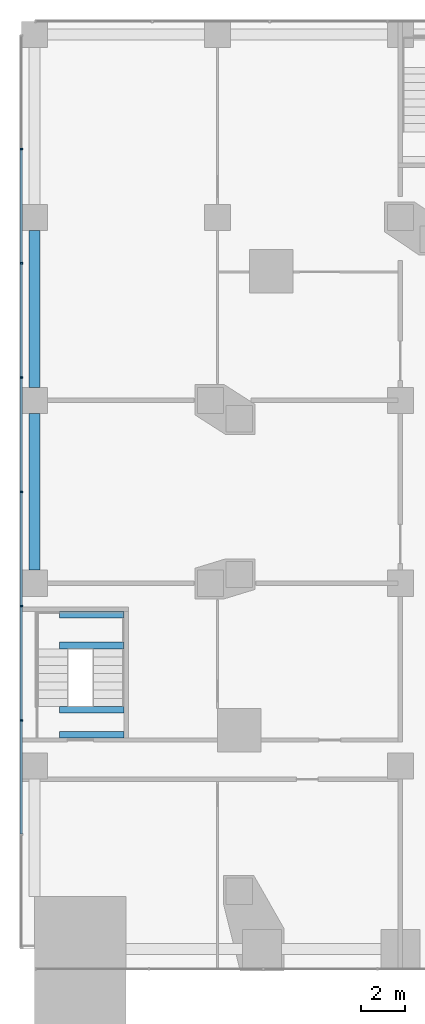
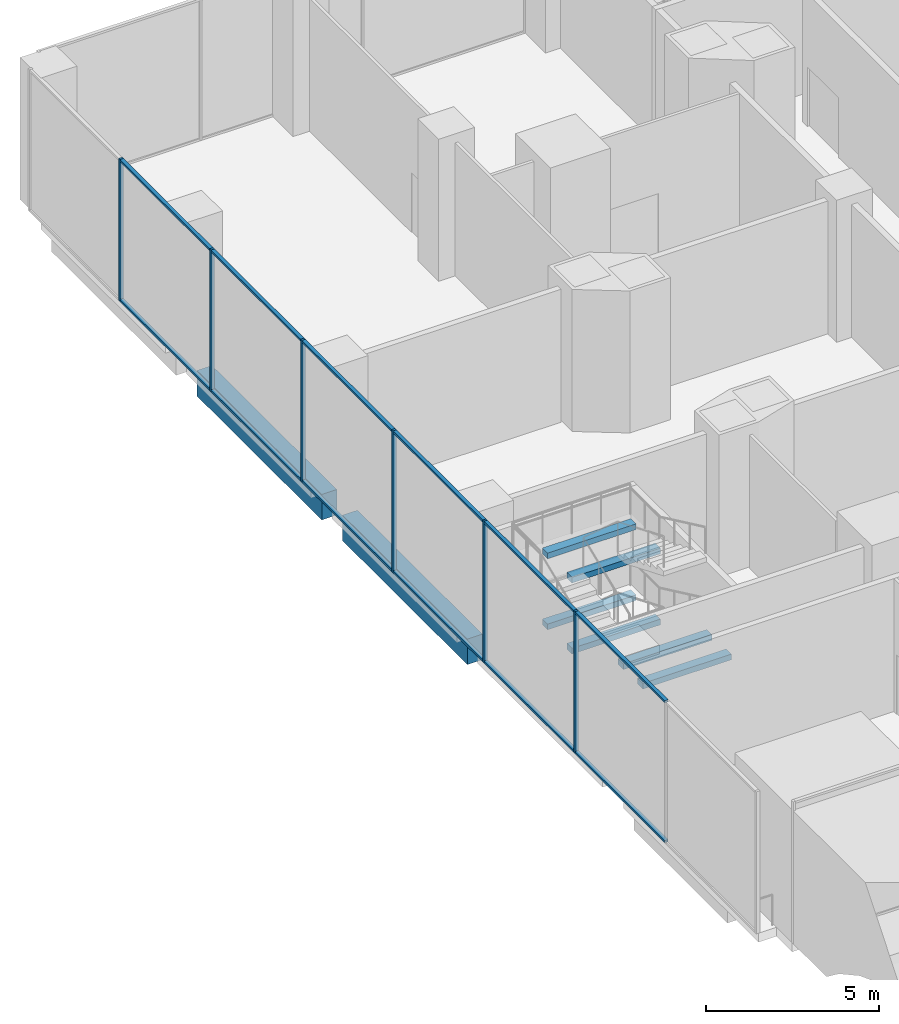
# One storey, part 6 of 28: 18 members, 8 beams, 1 element without a shape of its own.
"""IFC4 building model written with IfcOpenShell, lengths in metres."""

from ifc_helpers import new_model, si_unit, direction, frame, origin, origin_2d, place, context, subcontext, project, spatial, rectangle, extrude, material, layer, layer_set, material_profile, profile_set, type_object, element, aggregate, save


model = new_model("IFC4")

# Units and contexts
model_context = context("Model", 3, precision=1e-05, world=origin(), true_north=direction((0.0, 1.0)))
body_context = subcontext(model_context, "Body", "Model", "MODEL_VIEW")
ifc_project = project(units=[si_unit("LENGTHUNIT", "METRE"), si_unit("AREAUNIT", "SQUARE_METRE"), si_unit("VOLUMEUNIT", "CUBIC_METRE"), si_unit("PLANEANGLEUNIT", "RADIAN"), si_unit("MASSUNIT", "GRAM", prefix="KILO")], contexts=[model_context])

# Site, building, storey
site_placement = place(None, origin())
site = spatial("IfcSite", under=ifc_project, at=site_placement, CompositionType="ELEMENT")
building_placement = place(site_placement, origin())
building = spatial("IfcBuilding", under=site, at=building_placement, Name="Marenta Gate Hotel Tower", CompositionType="ELEMENT")
storey_placement = place(building_placement, frame((0.0, 0.0, 26.0)))
storey = spatial("IfcBuildingStorey", under=building, at=storey_placement, Name="L04", CompositionType="ELEMENT", Elevation=26.0)

# Curtain wall, members
ifc_material_1 = material(Name="Tinted insulated glass in bronze anodised frame", Category="glass")
ifc_layer = layer(ifc_material_1, 0.1201171875)
ifc_layer_set = layer_set([ifc_layer], Name="Tinted insulated glass in bronze anodised frame")
curtain_wall_type = type_object("IfcCurtainWallType", Name="Wellness glazing CW7", PredefinedType="NOTDEFINED", material=ifc_layer_set)
curtain_wall_placement = place(storey_placement, origin())
curtain_wall = element("IfcCurtainWall", 1, at=curtain_wall_placement, inside=storey, type_object=curtain_wall_type, Name="CW7 run NB-W000", PredefinedType="NOTDEFINED")
ifc_material_2 = material(Name="Bronze anodised aluminium", Category="aluminium")
ifc_material_profile_1 = material_profile(ifc_material_2, rectangle(XDim=0.1201171875, YDim=0.074951171875, at=origin_2d()), Name="Mullion CW7 75x120 bronze anodised aluminium")
ifc_profile_set_1 = profile_set([ifc_material_profile_1], Name="Bronze anodised aluminium")
member_type_1 = type_object("IfcMemberType", Name="Mullion CW7 75x120 bronze anodised aluminium", PredefinedType="MULLION", material=ifc_profile_set_1)
member_1_placement = place(storey_placement, frame((-38.4140625, 36.75, 0.0), z_axis=(0.0, 0.0, 1.0), x_axis=(1.0, 0.0, 0.0)))
member_1 = element("IfcMember", 2, at=member_1_placement, type_object=member_type_1, Name="CW7 mullion 2", PredefinedType="MULLION", context=body_context, shape_type="SweptSolid", body=[
    extrude(rectangle(XDim=0.1201171875, YDim=0.074951171875, at=origin_2d()), origin(), (0.0, 0.0, 1.0), 5.0),
])
member_2_placement = place(storey_placement, frame((-38.4140625, 31.5, 0.0), z_axis=(0.0, 0.0, 1.0), x_axis=(1.0, 0.0, 0.0)))
member_2 = element("IfcMember", 3, at=member_2_placement, type_object=member_type_1, Name="CW7 mullion 3", PredefinedType="MULLION", context=body_context, shape_type="SweptSolid", body=[
    extrude(rectangle(XDim=0.1201171875, YDim=0.074951171875, at=origin_2d()), origin(), (0.0, 0.0, 1.0), 5.0),
])
member_3_placement = place(storey_placement, frame((-38.4140625, 26.25, 0.0), z_axis=(0.0, 0.0, 1.0), x_axis=(1.0, 0.0, 0.0)))
member_3 = element("IfcMember", 4, at=member_3_placement, type_object=member_type_1, Name="CW7 mullion 4", PredefinedType="MULLION", context=body_context, shape_type="SweptSolid", body=[
    extrude(rectangle(XDim=0.1201171875, YDim=0.074951171875, at=origin_2d()), origin(), (0.0, 0.0, 1.0), 5.0),
])
member_4_placement = place(storey_placement, frame((-38.4140625, 21.0, 0.0), z_axis=(0.0, 0.0, 1.0), x_axis=(1.0, 0.0, 0.0)))
member_4 = element("IfcMember", 5, at=member_4_placement, type_object=member_type_1, Name="CW7 mullion 5", PredefinedType="MULLION", context=body_context, shape_type="SweptSolid", body=[
    extrude(rectangle(XDim=0.1201171875, YDim=0.074951171875, at=origin_2d()), origin(), (0.0, 0.0, 1.0), 5.0),
])
member_5_placement = place(storey_placement, frame((-38.4140625, 15.75, 0.0), z_axis=(0.0, 0.0, 1.0), x_axis=(1.0, 0.0, 0.0)))
member_5 = element("IfcMember", 6, at=member_5_placement, type_object=member_type_1, Name="CW7 mullion 6", PredefinedType="MULLION", context=body_context, shape_type="SweptSolid", body=[
    extrude(rectangle(XDim=0.1201171875, YDim=0.074951171875, at=origin_2d()), origin(), (0.0, 0.0, 1.0), 5.0),
])
member_6_placement = place(storey_placement, frame((-38.4140625, 10.5, 0.0), z_axis=(0.0, 0.0, 1.0), x_axis=(1.0, 0.0, 0.0)))
member_6 = element("IfcMember", 7, at=member_6_placement, type_object=member_type_1, Name="CW7 mullion 7", PredefinedType="MULLION", context=body_context, shape_type="SweptSolid", body=[
    extrude(rectangle(XDim=0.1201171875, YDim=0.074951171875, at=origin_2d()), origin(), (0.0, 0.0, 1.0), 5.0),
])

# Beams
ifc_material_3 = material(Name="Concrete C60", Category="concrete")
ifc_material_profile_2 = material_profile(ifc_material_3, rectangle(XDim=0.5, YDim=0.89990234375, at=origin_2d()), Name="500 x 900")
ifc_profile_set_2 = profile_set([ifc_material_profile_2], Name="Concrete C60")
beam_type_1 = type_object("IfcBeamType", Name="Podium edge beam 500 x 900 C60", PredefinedType="BEAM", material=ifc_profile_set_2)
beam_1_placement = place(storey_placement, frame((-37.800048828125, 33.0, -0.77001953125), z_axis=(0.0, -1.0, 0.0), x_axis=(1.0, 0.0, 0.0)))
element("IfcBeam", 8, at=beam_1_placement, inside=storey, type_object=beam_type_1, Name="L04-PBM-172", PredefinedType="BEAM", context=body_context, shape_type="SweptSolid", body=[
    extrude(rectangle(XDim=0.5, YDim=0.89990234375, at=origin_2d()), origin(), (0.0, 0.0, 1.0), 7.199951171875),
])
beam_2_placement = place(storey_placement, frame((-37.800048828125, 24.60009765625, -0.77001953125), z_axis=(0.0, -1.0, 0.0), x_axis=(1.0, 0.0, 0.0)))
element("IfcBeam", 9, at=beam_2_placement, inside=storey, type_object=beam_type_1, Name="L04-PBM-173", PredefinedType="BEAM", context=body_context, shape_type="SweptSolid", body=[
    extrude(rectangle(XDim=0.5, YDim=0.89990234375, at=origin_2d()), origin(), (0.0, 0.0, 1.0), 7.2001953125),
])
ifc_material_4 = material(Name="Concrete C40", Category="concrete")
ifc_material_profile_3 = material_profile(ifc_material_4, rectangle(XDim=0.300048828125, YDim=0.199951171875, at=origin_2d()), Name="300 x 200")
ifc_profile_set_3 = profile_set([ifc_material_profile_3], Name="Concrete C40")
beam_type_2 = type_object("IfcBeamType", Name="Stair landing trimmer 300 x 200 C40", PredefinedType="BEAM", material=ifc_profile_set_3)
for number, where, z_axis, x_axis, name in (
    (10, (-36.64990234375, 13.93994140625, 0.949951171875), (1.0, 0.0, 0.0), (0.0, 1.0, 0.0), "L04-PX6-LT-1"),
    (11, (-36.64990234375, 15.35009765625, 0.949951171875), (1.0, 0.0, 0.0), (0.0, 1.0, 0.0), "L04-PX6-LT-2"),
    (12, (-36.64990234375, 9.85009765625, 2.199951171875), (1.0, 0.0, 0.0), (0.0, 1.0, 0.0), "L04-PX6-LT-3"),
    (13, (-36.64990234375, 10.97998046875, 2.199951171875), (1.0, 0.0, 0.0), (0.0, 1.0, 0.0), "L04-PX6-LT-4"),
    (14, (-36.64990234375, 13.93994140625, 3.449951171875), (1.0, 0.0, 0.0), (0.0, 1.0, 0.0), "L04-PX6-LT-5"),
    (15, (-36.64990234375, 15.35009765625, 3.449951171875), (1.0, 0.0, 0.0), (0.0, 1.0, 0.0), "L04-PX6-LT-6"),
):
    element("IfcBeam", number, at=place(storey_placement, frame(where, z_axis=z_axis, x_axis=x_axis)), inside=storey, type_object=beam_type_2, Name=name, PredefinedType="BEAM", context=body_context, shape_type="SweptSolid", body=[
        extrude(rectangle(XDim=0.300048828125, YDim=0.199951171875, at=origin_2d()), origin(), (0.0, 0.0, 1.0), 2.949951171875),
    ])

# Member
ifc_material_5 = material(Name="Bronze anodised aluminium", Category="aluminium")
ifc_material_profile_4 = material_profile(ifc_material_5, rectangle(XDim=0.1201171875, YDim=0.074951171875, at=origin_2d()), Name="Transom CW7 75x120 bronze anodised aluminium")
ifc_profile_set_4 = profile_set([ifc_material_profile_4], Name="Bronze anodised aluminium")
member_type_2 = type_object("IfcMemberType", Name="Transom CW7 75x120 bronze anodised aluminium", PredefinedType="USERDEFINED", material=ifc_profile_set_4)
member_7_placement = place(storey_placement, frame((-38.4140625, 36.71240234375, 0.03759765625), z_axis=(0.0, -1.0, 0.0), x_axis=(1.0, 0.0, 0.0)))
member_7 = element("IfcMember", 16, at=member_7_placement, type_object=member_type_2, Name="CW7 transom 2.1", ObjectType="TRANSOM", PredefinedType="USERDEFINED", context=body_context, shape_type="SweptSolid", body=[
    extrude(rectangle(XDim=0.1201171875, YDim=0.074951171875, at=origin_2d()), origin(), (0.0, 0.0, 1.0), 5.1748046875),
])

member_8_placement = place(storey_placement, frame((-38.4140625, 36.71240234375, 4.96240234375), z_axis=(0.0, -1.0, 0.0), x_axis=(1.0, 0.0, 0.0)))
member_8 = element("IfcMember", 17, at=member_8_placement, type_object=member_type_2, Name="CW7 transom 2.2", ObjectType="TRANSOM", PredefinedType="USERDEFINED", context=body_context, shape_type="SweptSolid", body=[
    extrude(rectangle(XDim=0.1201171875, YDim=0.074951171875, at=origin_2d()), origin(), (0.0, 0.0, 1.0), 5.1748046875),
])

member_9_placement = place(storey_placement, frame((-38.4140625, 31.46240234375, 0.03759765625), z_axis=(0.0, -1.0, 0.0), x_axis=(1.0, 0.0, 0.0)))
member_9 = element("IfcMember", 18, at=member_9_placement, type_object=member_type_2, Name="CW7 transom 3.1", ObjectType="TRANSOM", PredefinedType="USERDEFINED", context=body_context, shape_type="SweptSolid", body=[
    extrude(rectangle(XDim=0.1201171875, YDim=0.074951171875, at=origin_2d()), origin(), (0.0, 0.0, 1.0), 5.1748046875),
])

member_10_placement = place(storey_placement, frame((-38.4140625, 31.46240234375, 4.96240234375), z_axis=(0.0, -1.0, 0.0), x_axis=(1.0, 0.0, 0.0)))
member_10 = element("IfcMember", 19, at=member_10_placement, type_object=member_type_2, Name="CW7 transom 3.2", ObjectType="TRANSOM", PredefinedType="USERDEFINED", context=body_context, shape_type="SweptSolid", body=[
    extrude(rectangle(XDim=0.1201171875, YDim=0.074951171875, at=origin_2d()), origin(), (0.0, 0.0, 1.0), 5.1748046875),
])

member_11_placement = place(storey_placement, frame((-38.4140625, 26.21240234375, 0.03759765625), z_axis=(0.0, -1.0, 0.0), x_axis=(1.0, 0.0, 0.0)))
member_11 = element("IfcMember", 20, at=member_11_placement, type_object=member_type_2, Name="CW7 transom 4.1", ObjectType="TRANSOM", PredefinedType="USERDEFINED", context=body_context, shape_type="SweptSolid", body=[
    extrude(rectangle(XDim=0.1201171875, YDim=0.074951171875, at=origin_2d()), origin(), (0.0, 0.0, 1.0), 5.1748046875),
])

member_12_placement = place(storey_placement, frame((-38.4140625, 26.21240234375, 4.96240234375), z_axis=(0.0, -1.0, 0.0), x_axis=(1.0, 0.0, 0.0)))
member_12 = element("IfcMember", 21, at=member_12_placement, type_object=member_type_2, Name="CW7 transom 4.2", ObjectType="TRANSOM", PredefinedType="USERDEFINED", context=body_context, shape_type="SweptSolid", body=[
    extrude(rectangle(XDim=0.1201171875, YDim=0.074951171875, at=origin_2d()), origin(), (0.0, 0.0, 1.0), 5.1748046875),
])

member_13_placement = place(storey_placement, frame((-38.4140625, 20.96240234375, 0.03759765625), z_axis=(0.0, -1.0, 0.0), x_axis=(1.0, 0.0, 0.0)))
member_13 = element("IfcMember", 22, at=member_13_placement, type_object=member_type_2, Name="CW7 transom 5.1", ObjectType="TRANSOM", PredefinedType="USERDEFINED", context=body_context, shape_type="SweptSolid", body=[
    extrude(rectangle(XDim=0.1201171875, YDim=0.074951171875, at=origin_2d()), origin(), (0.0, 0.0, 1.0), 5.1748046875),
])

member_14_placement = place(storey_placement, frame((-38.4140625, 20.96240234375, 4.96240234375), z_axis=(0.0, -1.0, 0.0), x_axis=(1.0, 0.0, 0.0)))
member_14 = element("IfcMember", 23, at=member_14_placement, type_object=member_type_2, Name="CW7 transom 5.2", ObjectType="TRANSOM", PredefinedType="USERDEFINED", context=body_context, shape_type="SweptSolid", body=[
    extrude(rectangle(XDim=0.1201171875, YDim=0.074951171875, at=origin_2d()), origin(), (0.0, 0.0, 1.0), 5.1748046875),
])

member_15_placement = place(storey_placement, frame((-38.4140625, 15.71240234375, 0.03759765625), z_axis=(0.0, -1.0, 0.0), x_axis=(1.0, 0.0, 0.0)))
member_15 = element("IfcMember", 24, at=member_15_placement, type_object=member_type_2, Name="CW7 transom 6.1", ObjectType="TRANSOM", PredefinedType="USERDEFINED", context=body_context, shape_type="SweptSolid", body=[
    extrude(rectangle(XDim=0.1201171875, YDim=0.074951171875, at=origin_2d()), origin(), (0.0, 0.0, 1.0), 5.1748046875),
])

member_16_placement = place(storey_placement, frame((-38.4140625, 15.71240234375, 4.96240234375), z_axis=(0.0, -1.0, 0.0), x_axis=(1.0, 0.0, 0.0)))
member_16 = element("IfcMember", 25, at=member_16_placement, type_object=member_type_2, Name="CW7 transom 6.2", ObjectType="TRANSOM", PredefinedType="USERDEFINED", context=body_context, shape_type="SweptSolid", body=[
    extrude(rectangle(XDim=0.1201171875, YDim=0.074951171875, at=origin_2d()), origin(), (0.0, 0.0, 1.0), 5.1748046875),
])

member_17_placement = place(storey_placement, frame((-38.4140625, 10.46240234375, 0.03759765625), z_axis=(0.0, -1.0, 0.0), x_axis=(1.0, 0.0, 0.0)))
member_17 = element("IfcMember", 26, at=member_17_placement, type_object=member_type_2, Name="CW7 transom 7.1", ObjectType="TRANSOM", PredefinedType="USERDEFINED", context=body_context, shape_type="SweptSolid", body=[
    extrude(rectangle(XDim=0.1201171875, YDim=0.074951171875, at=origin_2d()), origin(), (0.0, 0.0, 1.0), 5.1748046875),
])

member_18_placement = place(storey_placement, frame((-38.4140625, 10.46240234375, 4.96240234375), z_axis=(0.0, -1.0, 0.0), x_axis=(1.0, 0.0, 0.0)))
member_18 = element("IfcMember", 27, at=member_18_placement, type_object=member_type_2, Name="CW7 transom 7.2", ObjectType="TRANSOM", PredefinedType="USERDEFINED", context=body_context, shape_type="SweptSolid", body=[
    extrude(rectangle(XDim=0.1201171875, YDim=0.074951171875, at=origin_2d()), origin(), (0.0, 0.0, 1.0), 5.1748046875),
])

aggregate(curtain_wall, [member_1, member_2, member_3, member_4, member_5, member_6, member_7, member_8, member_9, member_10, member_11, member_12, member_13, member_14, member_15, member_16, member_17, member_18])

save(model, "model.ifc")
